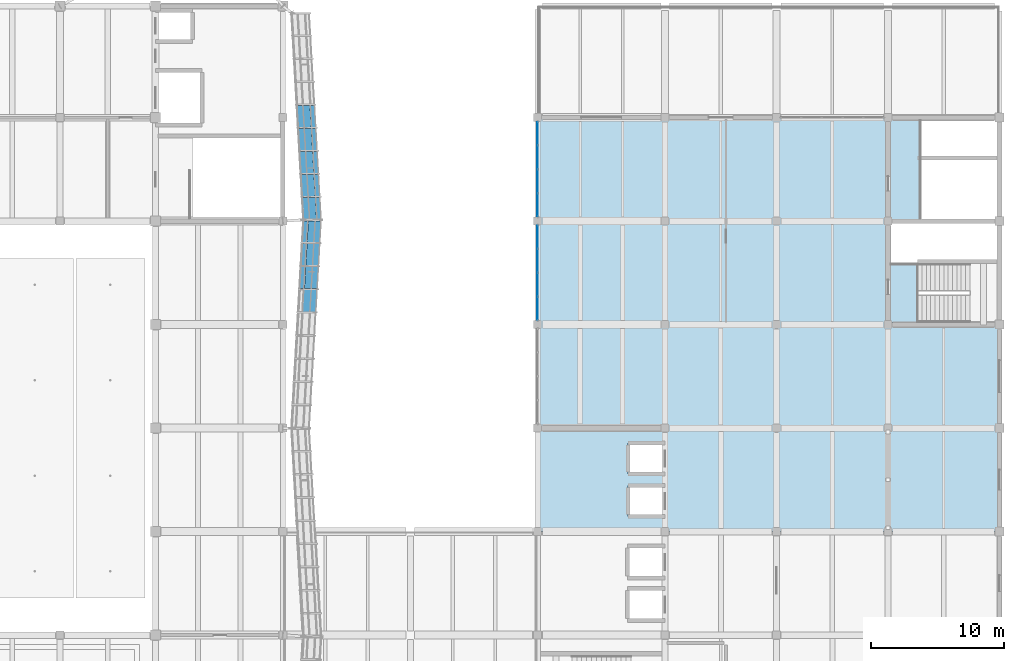
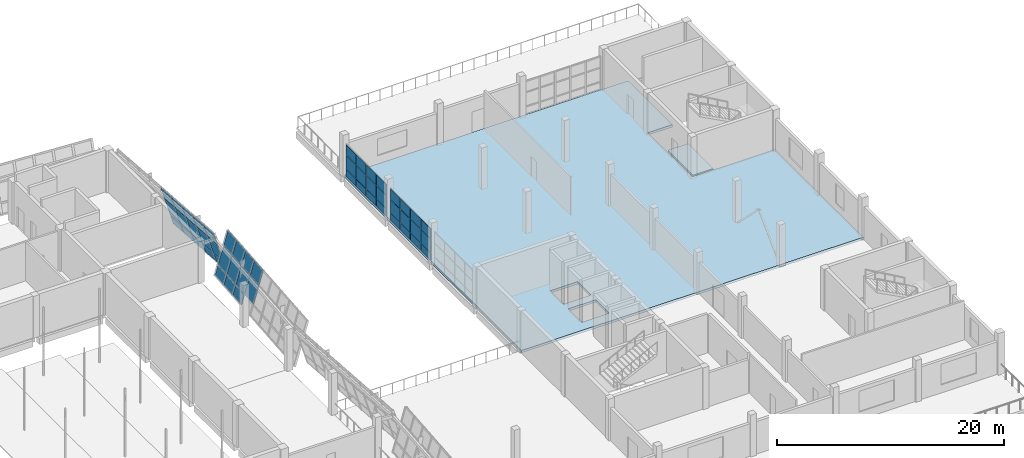
# One storey, part 43 of 71: 50 plates, 2 slabs, 5 elements without a shape of their own.
"""IFC4 building model written with IfcOpenShell, lengths in metres."""

import ifcopenshell
import ifcopenshell.guid

model = None  # the IFC model being written
_history = None  # IfcOwnerHistory: only IFC2X3 demands one
_inside = {}  # id of a spatial element -> (the spatial element, [elements in it])
_under = {}  # id of a project, library or spatial element -> (it, [spatial elements below it])
_declared = {}  # id of a project -> (the project, [libraries it declares])
_typed = {}  # id of a type object -> (the type object, [elements of that type])
_made_of = {}  # id of a material, layer set ... -> (it, [elements and type objects made of it])


def new_model(schema):
    """Start an empty IFC model of exactly this schema.

    Asked for "IFC4X3", IfcOpenShell would pick the latest addendum, in which some entities
    have other attributes; the version numbers below select the first issue.
    IFC2X3 requires an IfcOwnerHistory on every rooted entity: one is made here for all.
    """
    global model, _history
    if schema == "IFC4X3":
        model = ifcopenshell.file(schema_version=(4, 3, 0, 0))
    else:
        model = ifcopenshell.file(schema=schema)
    _inside.clear()
    _under.clear()
    _declared.clear()
    _typed.clear()
    _made_of.clear()
    _history = None
    if model.schema == "IFC2X3":
        org = make("IfcOrganization", Name="unknown")
        user = make(
            "IfcPersonAndOrganization",
            ThePerson=make("IfcPerson", FamilyName="unknown"),
            TheOrganization=org,
        )
        app = make(
            "IfcApplication",
            ApplicationDeveloper=org,
            Version="unknown",
            ApplicationFullName="unknown",
            ApplicationIdentifier="unknown",
        )
        _history = make(
            "IfcOwnerHistory",
            OwningUser=user,
            OwningApplication=app,
            ChangeAction="ADDED",
            CreationDate=0,
        )
    return model


def make(cls, **values):
    """One entity of the class cls with the attributes given. An attribute that is None is left unset."""
    return model.create_entity(
        cls, **{name: value for name, value in values.items() if value is not None}
    )


def rooted(cls, **values):
    """An entity with a GlobalId (a new one), such as an element, a storey or a relation."""
    return make(cls, GlobalId=ifcopenshell.guid.new(), OwnerHistory=_history, **values)


def si_unit(unit_type, name, prefix=None):
    """IfcSIUnit, for example si_unit("LENGTHUNIT", "METRE", prefix="MILLI")."""
    return make("IfcSIUnit", UnitType=unit_type, Prefix=prefix, Name=name)


def assignment(units):
    """IfcUnitAssignment: the units of a project."""
    return None if units is None else make("IfcUnitAssignment", Units=units)


def point(xyz):
    """IfcCartesianPoint."""
    return None if xyz is None else make("IfcCartesianPoint", Coordinates=xyz)


def direction(xyz):
    """IfcDirection."""
    return None if xyz is None else make("IfcDirection", DirectionRatios=xyz)


def frame(location, z_axis=None, x_axis=None):
    """IfcAxis2Placement3D, a coordinate frame: its origin and axes. An axis left out is left unset."""
    return make(
        "IfcAxis2Placement3D",
        Location=point(location),
        Axis=direction(z_axis),
        RefDirection=direction(x_axis),
    )


def origin():
    """The frame at (0, 0, 0) with its axes left unset."""
    return frame((0.0, 0.0, 0.0))


def place(relative_to, where):
    """IfcLocalPlacement: puts the frame where relative to a parent placement (None: the world)."""
    return make(
        "IfcLocalPlacement", PlacementRelTo=relative_to, RelativePlacement=where
    )


def context(
    kind, dimensions, precision=None, world=None, true_north=None, identifier=None
):
    """IfcGeometricRepresentationContext, for example the 3D "Model" context."""
    return make(
        "IfcGeometricRepresentationContext",
        ContextIdentifier=identifier,
        ContextType=kind,
        CoordinateSpaceDimension=dimensions,
        Precision=precision,
        WorldCoordinateSystem=world,
        TrueNorth=true_north,
    )


def subcontext(parent, identifier, kind, view, scale=None):
    """IfcGeometricRepresentationSubContext, for example "Body" below "Model"."""
    return make(
        "IfcGeometricRepresentationSubContext",
        ContextIdentifier=identifier,
        ContextType=kind,
        ParentContext=parent,
        TargetScale=scale,
        TargetView=view,
    )


def project(units=None, contexts=None):
    """IfcProject with its units and contexts."""
    return rooted(
        "IfcProject",
        Name="project",
        RepresentationContexts=contexts,
        UnitsInContext=assignment(units),
    )


def spatial(cls, under=None, at=None, **own):
    """A site, building, storey or space (cls), placed at a placement, below another one or the project."""
    s = rooted(cls, ObjectPlacement=at, **own)
    if under is not None:
        _under.setdefault(under.id(), (under, []))[1].append(s)
    return s


def polyline(points):
    """IfcPolyline through the points."""
    return make("IfcPolyline", Points=[point(p) for p in points])


def outline(outer, holes=None, kind="AREA"):
    """IfcArbitraryClosedProfileDef: a profile drawn as a closed curve; with holes, ...WithVoids."""
    if holes is None:
        return make("IfcArbitraryClosedProfileDef", ProfileType=kind, OuterCurve=outer)
    return make(
        "IfcArbitraryProfileDefWithVoids",
        ProfileType=kind,
        OuterCurve=outer,
        InnerCurves=holes,
    )


def extrude(swept, where, along, depth):
    """IfcExtrudedAreaSolid: the profile swept, set in the frame where, extruded along a direction by depth."""
    return make(
        "IfcExtrudedAreaSolid",
        SweptArea=swept,
        Position=where,
        ExtrudedDirection=direction(along),
        Depth=depth,
    )


def shape(context_of_items, identifier, shape_type, items):
    """IfcShapeRepresentation: the items that make up one representation, for example the "Body"."""
    return make(
        "IfcShapeRepresentation",
        ContextOfItems=context_of_items,
        RepresentationIdentifier=identifier,
        RepresentationType=shape_type,
        Items=items,
    )


def material(Name=None, Category=None):
    """IfcMaterial."""
    return make("IfcMaterial", Name=Name, Category=Category)


def layer(
    of_material, thickness, ventilated=None, Name=None, Category=None, Priority=None
):
    """IfcMaterialLayer: one layer of a wall or slab, of a material (None: an air gap)."""
    return make(
        "IfcMaterialLayer",
        Material=of_material,
        LayerThickness=thickness,
        IsVentilated=ventilated,
        Name=Name,
        Category=Category,
        Priority=Priority,
    )


def layer_set(layers, Name=None):
    """IfcMaterialLayerSet."""
    return make("IfcMaterialLayerSet", MaterialLayers=layers, LayerSetName=Name)


def made_of(thing, what):
    """Note that an element or type object is made of a material, layer set ...; save() writes the relation."""
    if what is not None:
        _made_of.setdefault(what.id(), (what, []))[1].append(thing)
    return thing


def type_object(cls, material=None, **own):
    """A type object (cls), such as IfcWallType, which elements share."""
    return made_of(rooted(cls, **own), material)


def element(
    cls,
    number,
    at=None,
    inside=None,
    cuts=None,
    type_object=None,
    material=None,
    context=None,
    identifier="Body",
    shape_type=None,
    held_by="IfcProductDefinitionShape",
    body=None,
    shapes=None,
    **own,
):
    """One element of the class cls, such as IfcWall. Its Tag is "e" and its number.

    at: its placement. inside: the storey or other place that contains it. cuts: it is an
    opening in that element (IfcRelVoidsElement). A single representation is given by context,
    identifier, shape_type and body (its items); several are given by shapes. held_by: the class
    of the entity that holds the representations. save() writes the other relations.
    """
    e = rooted(cls, Tag="e%d" % number, ObjectPlacement=at, **own)
    if body is not None:
        shapes = [shape(context, identifier, shape_type, body)]
    if shapes is not None:
        e.Representation = make(held_by, Representations=shapes)
    if inside is not None:
        _inside.setdefault(inside.id(), (inside, []))[1].append(e)
    if cuts is not None:
        rooted(
            "IfcRelVoidsElement", RelatingBuildingElement=cuts, RelatedOpeningElement=e
        )
    if type_object is not None:
        _typed.setdefault(type_object.id(), (type_object, []))[1].append(e)
    return made_of(e, material)


def aggregate(whole, parts):
    """IfcRelAggregates: a whole, such as a stair, and the parts it consists of."""
    return rooted("IfcRelAggregates", RelatingObject=whole, RelatedObjects=parts)


def save(model, path):
    """Write the relations noted so far, then the file.

    IfcRelAggregates (storeys below a building ...), IfcRelContainedInSpatialStructure (elements
    in a storey), IfcRelDefinesByType, IfcRelAssociatesMaterial and IfcRelDeclares: one each for
    every whole, place, type object, material and project.
    """
    for whole, parts in _under.values():
        aggregate(whole, parts)
    for where, things in _inside.values():
        rooted(
            "IfcRelContainedInSpatialStructure",
            RelatedElements=things,
            RelatingStructure=where,
        )
    for kind, things in _typed.values():
        rooted("IfcRelDefinesByType", RelatedObjects=things, RelatingType=kind)
    for what, things in _made_of.values():
        rooted("IfcRelAssociatesMaterial", RelatedObjects=things, RelatingMaterial=what)
    for by, libraries in _declared.values():
        rooted("IfcRelDeclares", RelatingContext=by, RelatedDefinitions=libraries)
    model.write(path)


model = new_model("IFC4")

# Units and contexts
model_context = context("Model", 3, precision=1e-05, world=origin(), true_north=direction((0.0, 1.0)))
body_context = subcontext(model_context, "Body", "Model", "MODEL_VIEW")
ifc_project = project(units=[si_unit("LENGTHUNIT", "METRE"), si_unit("AREAUNIT", "SQUARE_METRE"), si_unit("VOLUMEUNIT", "CUBIC_METRE"), si_unit("PLANEANGLEUNIT", "RADIAN"), si_unit("MASSUNIT", "GRAM", prefix="KILO")], contexts=[model_context])

# Site, building, storey
site_placement = place(None, origin())
site = spatial("IfcSite", under=ifc_project, at=site_placement, CompositionType="ELEMENT")
building_placement = place(site_placement, origin())
building = spatial("IfcBuilding", under=site, at=building_placement, Name="Pellamere Symphony Hall", CompositionType="ELEMENT")
storey_placement = place(building_placement, frame((0.0, 0.0, 15.0)))
storey = spatial("IfcBuildingStorey", under=building, at=storey_placement, Name="L03", CompositionType="ELEMENT", Elevation=15.0)

# Curtain wall, plates
ifc_material_1 = material(Name="Thermally Broken Anodised Aluminium 6063-T6 Curtain Wall", Category="aluminium")
curtain_wall_type_1 = type_object("IfcCurtainWallType", Name="Curtain Wall CW-05 (Artists Wing North Studio Ribbon Curtain Wall)", PredefinedType="NOTDEFINED", material=ifc_material_1)
curtain_wall_1_placement = place(storey_placement, origin())
curtain_wall_1 = element("IfcCurtainWall", 1, at=curtain_wall_1_placement, inside=storey, type_object=curtain_wall_type_1, Name="Sculpture Court East Wing Curtain Wall (L03 Bay 2)", PredefinedType="NOTDEFINED")
ifc_material_2 = material(Name="Triple Low-E Argon Acoustic Glazing 36mm", Category="glass")
ifc_layer_1 = layer(ifc_material_2, 0.035888671875, Name="Triple Low-E Argon Acoustic Glazing 36mm")
ifc_layer_set_1 = layer_set([ifc_layer_1], Name="Triple Low-E Argon Acoustic Glazing 36mm")
plate_type_1 = type_object("IfcPlateType", Name="Facade Panel GL-01 36mm", PredefinedType="CURTAIN_PANEL", material=ifc_layer_set_1)
plate_1_placement = place(storey_placement, frame((138.0, 69.9599609375, 0.06005859375), z_axis=(1.0, 0.0, 0.0), x_axis=(0.0, 1.0, 0.0)))
plate_1 = element("IfcPlate", 2, at=plate_1_placement, type_object=plate_type_1, Name="CW5-143 crystal glass panel 1.1", PredefinedType="CURTAIN_PANEL", context=body_context, shape_type="SweptSolid", body=[
    extrude(outline(polyline([(0.0, 0.0), (1.7099609375, 0.0), (1.7099609375, 0.754638671875), (0.0, 0.754638671875), (0.0, 0.0)])), origin(), (0.0, 0.0, -1.0), 0.035888671875),
])
plate_2_placement = place(storey_placement, frame((138.0, 69.9599609375, 0.874755859375), z_axis=(1.0, 0.0, 0.0), x_axis=(0.0, 1.0, 0.0)))
plate_2 = element("IfcPlate", 3, at=plate_2_placement, type_object=plate_type_1, Name="CW5-143 crystal glass panel 1.2", PredefinedType="CURTAIN_PANEL", context=body_context, shape_type="SweptSolid", body=[
    extrude(outline(polyline([(0.0, 0.0), (1.7099609375, 0.0), (1.7099609375, 1.41845703125), (0.0, 1.41845703125), (0.0, 0.0)])), origin(), (0.0, 0.0, -1.0), 0.035888671875),
])
plate_3_placement = place(storey_placement, frame((138.0, 69.9599609375, 2.353271484375), z_axis=(1.0, 0.0, 0.0), x_axis=(0.0, 1.0, 0.0)))
plate_3 = element("IfcPlate", 4, at=plate_3_placement, type_object=plate_type_1, Name="CW5-143 crystal glass panel 1.3", PredefinedType="CURTAIN_PANEL", context=body_context, shape_type="SweptSolid", body=[
    extrude(outline(polyline([(0.0, 0.0), (1.7099609375, 0.0), (1.7099609375, 1.106689453125), (0.0, 1.106689453125), (0.0, 0.0)])), origin(), (0.0, 0.0, -1.0), 0.035888671875),
])
plate_4_placement = place(storey_placement, frame((138.0, 71.72998046875, 0.06005859375), z_axis=(1.0, 0.0, 0.0), x_axis=(0.0, 1.0, 0.0)))
plate_4 = element("IfcPlate", 5, at=plate_4_placement, type_object=plate_type_1, Name="CW5-143 crystal glass panel 2.1", PredefinedType="CURTAIN_PANEL", context=body_context, shape_type="SweptSolid", body=[
    extrude(outline(polyline([(0.0, 0.0), (1.739990234375, 0.0), (1.739990234375, 0.754638671875), (0.0, 0.754638671875), (0.0, 0.0)])), origin(), (0.0, 0.0, -1.0), 0.035888671875),
])
plate_5_placement = place(storey_placement, frame((138.0, 71.72998046875, 0.874755859375), z_axis=(1.0, 0.0, 0.0), x_axis=(0.0, 1.0, 0.0)))
plate_5 = element("IfcPlate", 6, at=plate_5_placement, type_object=plate_type_1, Name="CW5-143 crystal glass panel 2.2", PredefinedType="CURTAIN_PANEL", context=body_context, shape_type="SweptSolid", body=[
    extrude(outline(polyline([(0.0, 0.0), (1.739990234375, 0.0), (1.739990234375, 1.41845703125), (0.0, 1.41845703125), (0.0, 0.0)])), origin(), (0.0, 0.0, -1.0), 0.035888671875),
])
plate_6_placement = place(storey_placement, frame((138.0, 71.72998046875, 2.353271484375), z_axis=(1.0, 0.0, 0.0), x_axis=(0.0, 1.0, 0.0)))
plate_6 = element("IfcPlate", 7, at=plate_6_placement, type_object=plate_type_1, Name="CW5-143 crystal glass panel 2.3", PredefinedType="CURTAIN_PANEL", context=body_context, shape_type="SweptSolid", body=[
    extrude(outline(polyline([(0.0, 0.0), (1.739990234375, 0.0), (1.739990234375, 1.106689453125), (0.0, 1.106689453125), (0.0, 0.0)])), origin(), (0.0, 0.0, -1.0), 0.035888671875),
])
plate_7_placement = place(storey_placement, frame((138.0, 73.530029296875, 0.06005859375), z_axis=(1.0, 0.0, 0.0), x_axis=(0.0, 1.0, 0.0)))
plate_7 = element("IfcPlate", 8, at=plate_7_placement, type_object=plate_type_1, Name="CW5-143 crystal glass panel 3.1", PredefinedType="CURTAIN_PANEL", context=body_context, shape_type="SweptSolid", body=[
    extrude(outline(polyline([(0.0, 0.0), (1.739990234375, 0.0), (1.739990234375, 0.754638671875), (0.0, 0.754638671875), (0.0, 0.0)])), origin(), (0.0, 0.0, -1.0), 0.035888671875),
])
plate_8_placement = place(storey_placement, frame((138.0, 73.530029296875, 0.874755859375), z_axis=(1.0, 0.0, 0.0), x_axis=(0.0, 1.0, 0.0)))
plate_8 = element("IfcPlate", 9, at=plate_8_placement, type_object=plate_type_1, Name="CW5-143 crystal glass panel 3.2", PredefinedType="CURTAIN_PANEL", context=body_context, shape_type="SweptSolid", body=[
    extrude(outline(polyline([(0.0, 0.0), (1.739990234375, 0.0), (1.739990234375, 1.41845703125), (0.0, 1.41845703125), (0.0, 0.0)])), origin(), (0.0, 0.0, -1.0), 0.035888671875),
])
plate_9_placement = place(storey_placement, frame((138.0, 73.530029296875, 2.353271484375), z_axis=(1.0, 0.0, 0.0), x_axis=(0.0, 1.0, 0.0)))
plate_9 = element("IfcPlate", 10, at=plate_9_placement, type_object=plate_type_1, Name="CW5-143 crystal glass panel 3.3", PredefinedType="CURTAIN_PANEL", context=body_context, shape_type="SweptSolid", body=[
    extrude(outline(polyline([(0.0, 0.0), (1.739990234375, 0.0), (1.739990234375, 1.106689453125), (0.0, 1.106689453125), (0.0, 0.0)])), origin(), (0.0, 0.0, -1.0), 0.035888671875),
])
plate_10_placement = place(storey_placement, frame((138.0, 75.330078125, 0.06005859375), z_axis=(1.0, 0.0, 0.0), x_axis=(0.0, 1.0, 0.0)))
plate_10 = element("IfcPlate", 11, at=plate_10_placement, type_object=plate_type_1, Name="CW5-143 crystal glass panel 4.1", PredefinedType="CURTAIN_PANEL", context=body_context, shape_type="SweptSolid", body=[
    extrude(outline(polyline([(0.0, 0.0), (1.7099609375, 0.0), (1.7099609375, 0.754638671875), (0.0, 0.754638671875), (0.0, 0.0)])), origin(), (0.0, 0.0, -1.0), 0.035888671875),
])
plate_11_placement = place(storey_placement, frame((138.0, 75.330078125, 0.874755859375), z_axis=(1.0, 0.0, 0.0), x_axis=(0.0, 1.0, 0.0)))
plate_11 = element("IfcPlate", 12, at=plate_11_placement, type_object=plate_type_1, Name="CW5-143 crystal glass panel 4.2", PredefinedType="CURTAIN_PANEL", context=body_context, shape_type="SweptSolid", body=[
    extrude(outline(polyline([(0.0, 0.0), (1.7099609375, 0.0), (1.7099609375, 1.41845703125), (0.0, 1.41845703125), (0.0, 0.0)])), origin(), (0.0, 0.0, -1.0), 0.035888671875),
])
plate_12_placement = place(storey_placement, frame((138.0, 75.330078125, 2.353271484375), z_axis=(1.0, 0.0, 0.0), x_axis=(0.0, 1.0, 0.0)))
plate_12 = element("IfcPlate", 13, at=plate_12_placement, type_object=plate_type_1, Name="CW5-143 crystal glass panel 4.3", PredefinedType="CURTAIN_PANEL", context=body_context, shape_type="SweptSolid", body=[
    extrude(outline(polyline([(0.0, 0.0), (1.7099609375, 0.0), (1.7099609375, 1.106689453125), (0.0, 1.106689453125), (0.0, 0.0)])), origin(), (0.0, 0.0, -1.0), 0.035888671875),
])
aggregate(curtain_wall_1, [plate_1, plate_2, plate_3, plate_4, plate_5, plate_6, plate_7, plate_8, plate_9, plate_10, plate_11, plate_12])

curtain_wall_2_placement = place(storey_placement, origin())
curtain_wall_2 = element("IfcCurtainWall", 14, at=curtain_wall_2_placement, inside=storey, type_object=curtain_wall_type_1, Name="Sculpture Court East Wing Curtain Wall (L03 Bay 3)", PredefinedType="NOTDEFINED")
plate_13_placement = place(storey_placement, frame((138.0, 77.760009765625, 0.06005859375), z_axis=(1.0, 0.0, 0.0), x_axis=(0.0, 1.0, 0.0)))
plate_13 = element("IfcPlate", 15, at=plate_13_placement, type_object=plate_type_1, Name="CW5-144 crystal glass panel 1.1", PredefinedType="CURTAIN_PANEL", context=body_context, shape_type="SweptSolid", body=[
    extrude(outline(polyline([(0.0, 0.0), (1.7099609375, 0.0), (1.7099609375, 0.754638671875), (0.0, 0.754638671875), (0.0, 0.0)])), origin(), (0.0, 0.0, -1.0), 0.035888671875),
])
plate_14_placement = place(storey_placement, frame((138.0, 77.760009765625, 0.874755859375), z_axis=(1.0, 0.0, 0.0), x_axis=(0.0, 1.0, 0.0)))
plate_14 = element("IfcPlate", 16, at=plate_14_placement, type_object=plate_type_1, Name="CW5-144 crystal glass panel 1.2", PredefinedType="CURTAIN_PANEL", context=body_context, shape_type="SweptSolid", body=[
    extrude(outline(polyline([(0.0, 0.0), (1.7099609375, 0.0), (1.7099609375, 1.41845703125), (0.0, 1.41845703125), (0.0, 0.0)])), origin(), (0.0, 0.0, -1.0), 0.035888671875),
])
plate_15_placement = place(storey_placement, frame((138.0, 77.760009765625, 2.353271484375), z_axis=(1.0, 0.0, 0.0), x_axis=(0.0, 1.0, 0.0)))
plate_15 = element("IfcPlate", 17, at=plate_15_placement, type_object=plate_type_1, Name="CW5-144 crystal glass panel 1.3", PredefinedType="CURTAIN_PANEL", context=body_context, shape_type="SweptSolid", body=[
    extrude(outline(polyline([(0.0, 0.0), (1.7099609375, 0.0), (1.7099609375, 1.106689453125), (0.0, 1.106689453125), (0.0, 0.0)])), origin(), (0.0, 0.0, -1.0), 0.035888671875),
])
plate_16_placement = place(storey_placement, frame((138.0, 79.530029296875, 0.06005859375), z_axis=(1.0, 0.0, 0.0), x_axis=(0.0, 1.0, 0.0)))
plate_16 = element("IfcPlate", 18, at=plate_16_placement, type_object=plate_type_1, Name="CW5-144 crystal glass panel 2.1", PredefinedType="CURTAIN_PANEL", context=body_context, shape_type="SweptSolid", body=[
    extrude(outline(polyline([(0.0, 0.0), (1.739990234375, 0.0), (1.739990234375, 0.754638671875), (0.0, 0.754638671875), (0.0, 0.0)])), origin(), (0.0, 0.0, -1.0), 0.035888671875),
])
plate_17_placement = place(storey_placement, frame((138.0, 79.530029296875, 0.874755859375), z_axis=(1.0, 0.0, 0.0), x_axis=(0.0, 1.0, 0.0)))
plate_17 = element("IfcPlate", 19, at=plate_17_placement, type_object=plate_type_1, Name="CW5-144 crystal glass panel 2.2", PredefinedType="CURTAIN_PANEL", context=body_context, shape_type="SweptSolid", body=[
    extrude(outline(polyline([(0.0, 0.0), (1.739990234375, 0.0), (1.739990234375, 1.41845703125), (0.0, 1.41845703125), (0.0, 0.0)])), origin(), (0.0, 0.0, -1.0), 0.035888671875),
])
plate_18_placement = place(storey_placement, frame((138.0, 79.530029296875, 2.353271484375), z_axis=(1.0, 0.0, 0.0), x_axis=(0.0, 1.0, 0.0)))
plate_18 = element("IfcPlate", 20, at=plate_18_placement, type_object=plate_type_1, Name="CW5-144 crystal glass panel 2.3", PredefinedType="CURTAIN_PANEL", context=body_context, shape_type="SweptSolid", body=[
    extrude(outline(polyline([(0.0, 0.0), (1.739990234375, 0.0), (1.739990234375, 1.106689453125), (0.0, 1.106689453125), (0.0, 0.0)])), origin(), (0.0, 0.0, -1.0), 0.035888671875),
])
plate_19_placement = place(storey_placement, frame((138.0, 81.330078125, 0.06005859375), z_axis=(1.0, 0.0, 0.0), x_axis=(0.0, 1.0, 0.0)))
plate_19 = element("IfcPlate", 21, at=plate_19_placement, type_object=plate_type_1, Name="CW5-144 crystal glass panel 3.1", PredefinedType="CURTAIN_PANEL", context=body_context, shape_type="SweptSolid", body=[
    extrude(outline(polyline([(0.0, 0.0), (1.739990234375, 0.0), (1.739990234375, 0.754638671875), (0.0, 0.754638671875), (0.0, 0.0)])), origin(), (0.0, 0.0, -1.0), 0.035888671875),
])
plate_20_placement = place(storey_placement, frame((138.0, 81.330078125, 0.874755859375), z_axis=(1.0, 0.0, 0.0), x_axis=(0.0, 1.0, 0.0)))
plate_20 = element("IfcPlate", 22, at=plate_20_placement, type_object=plate_type_1, Name="CW5-144 crystal glass panel 3.2", PredefinedType="CURTAIN_PANEL", context=body_context, shape_type="SweptSolid", body=[
    extrude(outline(polyline([(0.0, 0.0), (1.739990234375, 0.0), (1.739990234375, 1.41845703125), (0.0, 1.41845703125), (0.0, 0.0)])), origin(), (0.0, 0.0, -1.0), 0.035888671875),
])
plate_21_placement = place(storey_placement, frame((138.0, 81.330078125, 2.353271484375), z_axis=(1.0, 0.0, 0.0), x_axis=(0.0, 1.0, 0.0)))
plate_21 = element("IfcPlate", 23, at=plate_21_placement, type_object=plate_type_1, Name="CW5-144 crystal glass panel 3.3", PredefinedType="CURTAIN_PANEL", context=body_context, shape_type="SweptSolid", body=[
    extrude(outline(polyline([(0.0, 0.0), (1.739990234375, 0.0), (1.739990234375, 1.106689453125), (0.0, 1.106689453125), (0.0, 0.0)])), origin(), (0.0, 0.0, -1.0), 0.035888671875),
])
plate_22_placement = place(storey_placement, frame((138.0, 83.1298828125, 0.06005859375), z_axis=(1.0, 0.0, 0.0), x_axis=(0.0, 1.0, 0.0)))
plate_22 = element("IfcPlate", 24, at=plate_22_placement, type_object=plate_type_1, Name="CW5-144 crystal glass panel 4.1", PredefinedType="CURTAIN_PANEL", context=body_context, shape_type="SweptSolid", body=[
    extrude(outline(polyline([(0.0, 0.0), (1.710205078125, 0.0), (1.710205078125, 0.754638671875), (0.0, 0.754638671875), (0.0, 0.0)])), origin(), (0.0, 0.0, -1.0), 0.035888671875),
])
plate_23_placement = place(storey_placement, frame((138.0, 83.1298828125, 0.874755859375), z_axis=(1.0, 0.0, 0.0), x_axis=(0.0, 1.0, 0.0)))
plate_23 = element("IfcPlate", 25, at=plate_23_placement, type_object=plate_type_1, Name="CW5-144 crystal glass panel 4.2", PredefinedType="CURTAIN_PANEL", context=body_context, shape_type="SweptSolid", body=[
    extrude(outline(polyline([(0.0, 0.0), (1.710205078125, 0.0), (1.710205078125, 1.41845703125), (0.0, 1.41845703125), (0.0, 0.0)])), origin(), (0.0, 0.0, -1.0), 0.035888671875),
])
plate_24_placement = place(storey_placement, frame((138.0, 83.1298828125, 2.353271484375), z_axis=(1.0, 0.0, 0.0), x_axis=(0.0, 1.0, 0.0)))
plate_24 = element("IfcPlate", 26, at=plate_24_placement, type_object=plate_type_1, Name="CW5-144 crystal glass panel 4.3", PredefinedType="CURTAIN_PANEL", context=body_context, shape_type="SweptSolid", body=[
    extrude(outline(polyline([(0.0, 0.0), (1.710205078125, 0.0), (1.710205078125, 1.106689453125), (0.0, 1.106689453125), (0.0, 0.0)])), origin(), (0.0, 0.0, -1.0), 0.035888671875),
])
aggregate(curtain_wall_2, [plate_13, plate_14, plate_15, plate_16, plate_17, plate_18, plate_19, plate_20, plate_21, plate_22, plate_23, plate_24])

curtain_wall_type_2 = type_object("IfcCurtainWallType", Name="Curtain Wall CW-01 (Tilted Faceted Crystal Low-Iron Curtain Wall)", PredefinedType="NOTDEFINED", material=ifc_material_1)
curtain_wall_3_placement = place(storey_placement, origin())
curtain_wall_3 = element("IfcCurtainWall", 27, at=curtain_wall_3_placement, inside=storey, type_object=curtain_wall_type_2, Name="Crystal Faceted Curtain Wall CW-CR09 (L03)", PredefinedType="NOTDEFINED")
ifc_material_3 = material(Name="Triple Laminated Acoustic Crystal Glazing 42mm", Category="glass")
ifc_layer_2 = layer(ifc_material_3, 0.0419921875, Name="Triple Laminated Acoustic Crystal Glazing 42mm")
ifc_layer_set_2 = layer_set([ifc_layer_2], Name="Triple Laminated Acoustic Crystal Glazing 42mm")
plate_type_2 = type_object("IfcPlateType", Name="Facade Panel GL-02 42mm", PredefinedType="CURTAIN_PANEL", material=ifc_layer_set_2)
plate_25_placement = place(storey_placement, frame((121.657470703125, 77.574951171875, 0.072021484375), z_axis=(0.957305734249, 0.055226404009, 0.283753018441), x_axis=(-0.057593652861, 0.998340107954, 0.0)))
plate_25 = element("IfcPlate", 28, at=plate_25_placement, type_object=plate_type_2, Name="CW1-020 crystal glass panel 1.1", PredefinedType="CURTAIN_PANEL", context=body_context, shape_type="SweptSolid", body=[
    extrude(outline(polyline([(0.0, 0.0), (1.6235445180063734, -6.938893903907228e-18), (1.6401364394849838, 1.0135847982305457), (0.016591921478610355, 1.0135847982305457), (0.0, 0.0)])), origin(), (0.0, 0.0, -1.0), 0.0419921875),
])
plate_26_placement = place(storey_placement, frame((121.34814453125, 77.574951171875, 1.115966796875), z_axis=(0.95735286075, 0.055229122709, 0.283593448478), x_axis=(-0.057593652861, 0.998340107954, 0.0)))
plate_26 = element("IfcPlate", 29, at=plate_26_placement, type_object=plate_type_2, Name="CW1-020 crystal glass panel 1.2", PredefinedType="CURTAIN_PANEL", context=body_context, shape_type="SweptSolid", body=[
    extrude(outline(polyline([(0.0, 0.0), (1.6235445180063734, 0.0), (1.6545629746011314, 1.8959543902528653), (0.031018456594758003, 1.8959543902528653), (0.0, 0.0)])), origin(), (0.0, 0.0, -1.0), 0.0419921875),
])
plate_27_placement = place(storey_placement, frame((120.788330078125, 77.574951171875, 3.005859375), z_axis=(0.957331455503, 0.055227887853, 0.283665938575), x_axis=(-0.057593652861, 0.998340107954, 0.0)))
plate_27 = element("IfcPlate", 30, at=plate_27_placement, type_object=plate_type_2, Name="CW1-020 crystal glass panel 1.3", PredefinedType="CURTAIN_PANEL", context=body_context, shape_type="SweptSolid", body=[
    extrude(outline(polyline([(0.0, 0.0), (1.6235445180063734, -3.469446951953614e-18), (1.6478137184064425, 1.4830376336367266), (0.024269200400069045, 1.4830376336367266), (0.0, 0.0)])), origin(), (0.0, 0.0, -1.0), 0.0419921875),
])
plate_28_placement = place(storey_placement, frame((121.5595703125, 79.270751953125, 0.072021484375), z_axis=(0.957304871124, 0.05524267768, 0.283752762604), x_axis=(-0.057610619545, 0.998339129012, 0.0)))
plate_28 = element("IfcPlate", 31, at=plate_28_placement, type_object=plate_type_2, Name="CW1-020 crystal glass panel 2.1", PredefinedType="CURTAIN_PANEL", context=body_context, shape_type="SweptSolid", body=[
    extrude(outline(polyline([(0.0, 0.0), (1.6612063149993754, 0.0), (1.677803124341095, 1.0135847182066644), (0.01659680934171927, 1.0135847182066644), (0.0, 0.0)])), origin(), (0.0, 0.0, -1.0), 0.0419921875),
])
plate_29_placement = place(storey_placement, frame((121.250244140625, 79.270751953125, 1.115966796875), z_axis=(0.957351997497, 0.055245397176, 0.283593192759), x_axis=(-0.057610619545, 0.998339129012, 0.0)))
plate_29 = element("IfcPlate", 32, at=plate_29_placement, type_object=plate_type_2, Name="CW1-020 crystal glass panel 2.2", PredefinedType="CURTAIN_PANEL", context=body_context, shape_type="SweptSolid", body=[
    extrude(outline(polyline([(0.0, 0.0), (1.6612063149993754, -3.469446951953614e-18), (1.6922339094127932, 1.8959542407330272), (0.031027594413417556, 1.8959542407330272), (0.0, 0.0)])), origin(), (0.0, 0.0, -1.0), 0.0419921875),
])
plate_30_placement = place(storey_placement, frame((120.6904296875, 79.270751953125, 3.005859375), z_axis=(0.957330592308, 0.055244161959, 0.283665682802), x_axis=(-0.057610619545, 0.998339129012, 0.0)))
plate_30 = element("IfcPlate", 33, at=plate_30_placement, type_object=plate_type_2, Name="CW1-020 crystal glass panel 2.3", PredefinedType="CURTAIN_PANEL", context=body_context, shape_type="SweptSolid", body=[
    extrude(outline(polyline([(0.0, 0.0), (1.6612063149993754, 0.0), (1.6854826649348056, 1.4830375166207674), (0.024276349935430055, 1.4830375166207674), (0.0, 0.0)])), origin(), (0.0, 0.0, -1.0), 0.0419921875),
])
plate_31_placement = place(storey_placement, frame((121.45947265625, 81.004150390625, 0.072021484375), z_axis=(0.95737017047, 0.055246445874, 0.283531633003), x_axis=(-0.057610619545, 0.998339129012, 0.0)))
plate_31 = element("IfcPlate", 34, at=plate_31_placement, type_object=plate_type_2, Name="CW1-020 crystal glass panel 3.1", PredefinedType="CURTAIN_PANEL", context=body_context, shape_type="SweptSolid", body=[
    extrude(outline(polyline([(0.0, 0.0), (1.6612063149993754, -3.469446951953614e-18), (1.6777890592484324, 1.0135155846352601), (0.0165827442490568, 1.0135155846352604), (0.0, 0.0)])), origin(), (0.0, 0.0, -1.0), 0.0419921875),
])
plate_32_placement = place(storey_placement, frame((121.150390625, 81.004150390625, 1.115966796875), z_axis=(0.957351997497, 0.055245397176, 0.283593192759), x_axis=(-0.057610619545, 0.998339129012, 0.0)))
plate_32 = element("IfcPlate", 35, at=plate_32_placement, type_object=plate_type_2, Name="CW1-020 crystal glass panel 3.2", PredefinedType="CURTAIN_PANEL", context=body_context, shape_type="SweptSolid", body=[
    extrude(outline(polyline([(0.0, 0.0), (1.6612063149993754, -3.469446951953614e-18), (1.6922339094127932, 1.8959542407330272), (0.031027594413417556, 1.8959542407330272), (0.0, 0.0)])), origin(), (0.0, 0.0, -1.0), 0.0419921875),
])
plate_33_placement = place(storey_placement, frame((120.59033203125, 81.004150390625, 3.005859375), z_axis=(0.957375213306, 0.055246736879, 0.283514548147), x_axis=(-0.057610619545, 0.998339129012, 0.0)))
plate_33 = element("IfcPlate", 36, at=plate_33_placement, type_object=plate_type_2, Name="CW1-020 crystal glass panel 3.3", PredefinedType="CURTAIN_PANEL", context=body_context, shape_type="SweptSolid", body=[
    extrude(outline(polyline([(0.0, 0.0), (1.6612063149993754, -6.938893903907228e-18), (1.685468599842143, 1.482968395744147), (0.02426228484276758, 1.482968395744147), (0.0, 0.0)])), origin(), (0.0, 0.0, -1.0), 0.0419921875),
])
plate_34_placement = place(storey_placement, frame((121.359619140625, 82.737548828125, 0.072021484375), z_axis=(0.957304871124, 0.05524267768, 0.283752762604), x_axis=(-0.057610619545, 0.998339129012, 0.0)))
plate_34 = element("IfcPlate", 37, at=plate_34_placement, type_object=plate_type_2, Name="CW1-020 crystal glass panel 4.1", PredefinedType="CURTAIN_PANEL", context=body_context, shape_type="SweptSolid", body=[
    extrude(outline(polyline([(0.0, 0.0), (1.6612063149993754, 0.0), (1.677803124341095, 1.0135847182066644), (0.01659680934171927, 1.0135847182066644), (0.0, 0.0)])), origin(), (0.0, 0.0, -1.0), 0.0419921875),
])
plate_35_placement = place(storey_placement, frame((121.05029296875, 82.737548828125, 1.115966796875), z_axis=(0.957351997497, 0.055245397176, 0.283593192759), x_axis=(-0.057610619545, 0.998339129012, 0.0)))
plate_35 = element("IfcPlate", 38, at=plate_35_placement, type_object=plate_type_2, Name="CW1-020 crystal glass panel 4.2", PredefinedType="CURTAIN_PANEL", context=body_context, shape_type="SweptSolid", body=[
    extrude(outline(polyline([(0.0, 0.0), (1.6612063149993754, -3.469446951953614e-18), (1.6922339094127932, 1.8959542407330272), (0.031027594413417556, 1.8959542407330272), (0.0, 0.0)])), origin(), (0.0, 0.0, -1.0), 0.0419921875),
])
plate_36_placement = place(storey_placement, frame((120.490478515625, 82.737548828125, 3.005859375), z_axis=(0.957330592308, 0.055244161959, 0.283665682802), x_axis=(-0.057610619545, 0.998339129012, 0.0)))
plate_36 = element("IfcPlate", 39, at=plate_36_placement, type_object=plate_type_2, Name="CW1-020 crystal glass panel 4.3", PredefinedType="CURTAIN_PANEL", context=body_context, shape_type="SweptSolid", body=[
    extrude(outline(polyline([(0.0, 0.0), (1.6612063149993754, 0.0), (1.6854826649348056, 1.4830375166207674), (0.024276349935430055, 1.4830375166207674), (0.0, 0.0)])), origin(), (0.0, 0.0, -1.0), 0.0419921875),
])
plate_37_placement = place(storey_placement, frame((121.259521484375, 84.470703125, 0.072021484375), z_axis=(0.95737017047, 0.055246445874, 0.283531633003), x_axis=(-0.057610619545, 0.998339129012, 0.0)))
plate_37 = element("IfcPlate", 40, at=plate_37_placement, type_object=plate_type_2, Name="CW1-020 crystal glass panel 5.1", PredefinedType="CURTAIN_PANEL", context=body_context, shape_type="SweptSolid", body=[
    extrude(outline(polyline([(0.0, 0.0), (1.6612063149993754, -3.469446951953614e-18), (1.6777890592484324, 1.0135155846352601), (0.0165827442490568, 1.0135155846352604), (0.0, 0.0)])), origin(), (0.0, 0.0, -1.0), 0.0419921875),
])
plate_38_placement = place(storey_placement, frame((120.9501953125, 84.470703125, 1.115966796875), z_axis=(0.957351997497, 0.055245397176, 0.283593192759), x_axis=(-0.057610619545, 0.998339129012, 0.0)))
plate_38 = element("IfcPlate", 41, at=plate_38_placement, type_object=plate_type_2, Name="CW1-020 crystal glass panel 5.2", PredefinedType="CURTAIN_PANEL", context=body_context, shape_type="SweptSolid", body=[
    extrude(outline(polyline([(0.0, 0.0), (1.6612063149993754, -3.469446951953614e-18), (1.6922339094127932, 1.8959542407330272), (0.031027594413417556, 1.8959542407330272), (0.0, 0.0)])), origin(), (0.0, 0.0, -1.0), 0.0419921875),
])
plate_39_placement = place(storey_placement, frame((120.390380859375, 84.470703125, 3.005859375), z_axis=(0.957375213306, 0.055246736879, 0.283514548147), x_axis=(-0.057610619545, 0.998339129012, 0.0)))
plate_39 = element("IfcPlate", 42, at=plate_39_placement, type_object=plate_type_2, Name="CW1-020 crystal glass panel 5.3", PredefinedType="CURTAIN_PANEL", context=body_context, shape_type="SweptSolid", body=[
    extrude(outline(polyline([(0.0, 0.0), (1.6612063149993754, -6.938893903907228e-18), (1.685468599842143, 1.482968395744147), (0.02426228484276758, 1.482968395744147), (0.0, 0.0)])), origin(), (0.0, 0.0, -1.0), 0.0419921875),
])
aggregate(curtain_wall_3, [plate_25, plate_26, plate_27, plate_28, plate_29, plate_30, plate_31, plate_32, plate_33, plate_34, plate_35, plate_36, plate_37, plate_38, plate_39])

curtain_wall_4_placement = place(storey_placement, origin())
curtain_wall_4 = element("IfcCurtainWall", 43, at=curtain_wall_4_placement, inside=storey, type_object=curtain_wall_type_2, Name="Crystal Faceted Curtain Wall CW-CR08 (L03)", PredefinedType="NOTDEFINED")
ifc_material_4 = material(Name="Vacuum-Insulated Bronze-Anodised Aluminium Spandrel Panel", Category="aluminium")
ifc_layer_3 = layer(ifc_material_4, 0.06494140625, Name="Vacuum-Insulated Bronze-Anodised Aluminium Spandrel Panel")
ifc_layer_set_3 = layer_set([ifc_layer_3], Name="Vacuum-Insulated Bronze-Anodised Aluminium Spandrel Panel")
plate_type_3 = type_object("IfcPlateType", Name="Facade Panel SP-01 65mm", PredefinedType="CURTAIN_PANEL", material=ifc_layer_set_3)
plate_40_placement = place(storey_placement, frame((120.28271484375, 70.5595703125, 1.115966796875), z_axis=(-0.957371585014, 0.054874932201, 0.283598995104), x_axis=(0.057224396245, 0.998361341637, 0.0)))
plate_40 = element("IfcPlate", 44, at=plate_40_placement, type_object=plate_type_3, Name="CW1-015 crystal glass panel 6.2", PredefinedType="CURTAIN_PANEL", context=body_context, shape_type="SweptSolid", body=[
    extrude(outline(polyline([(0.0, 0.0), (1.6724182565382377, -3.469446951953614e-18), (1.703237841039485, -1.895957633434831), (0.030819584501247117, -1.895957633434831), (0.0, 0.0)])), origin(), (0.0, 0.0, -1.0), 0.06494140625),
])
plate_41_placement = place(storey_placement, frame((120.842529296875, 70.5595703125, 3.005859375), z_axis=(-0.957350178511, 0.054873705217, 0.283671486371), x_axis=(0.057224396245, 0.998361341637, 0.0)))
plate_41 = element("IfcPlate", 45, at=plate_41_placement, type_object=plate_type_3, Name="CW1-015 crystal glass panel 6.3", PredefinedType="CURTAIN_PANEL", context=body_context, shape_type="SweptSolid", body=[
    extrude(outline(polyline([(0.0, 0.0), (1.6724182565382377, -3.469446951953614e-18), (1.69653185710449, -1.48304017178855), (0.024113600566252277, -1.48304017178855), (0.0, 0.0)])), origin(), (0.0, 0.0, -1.0), 0.06494140625),
])
plate_42_placement = place(storey_placement, frame((120.073486328125, 72.30419921875, 0.072021484375), z_axis=(-0.957389337449, 0.054883974887, 0.283537309433), x_axis=(0.057232737422, 0.998360863499, 0.0)))
plate_42 = element("IfcPlate", 46, at=plate_42_placement, type_object=plate_type_3, Name="CW1-015 crystal glass panel 7.1", PredefinedType="CURTAIN_PANEL", context=body_context, shape_type="SweptSolid", body=[
    extrude(outline(polyline([(0.0, 0.0), (1.6721745160346768, -3.469446951953614e-18), (1.688648490014305, -1.01351735845357), (0.016473973979628256, -1.01351735845357), (0.0, 0.0)])), origin(), (0.0, 0.0, -1.0), 0.06494140625),
])
plate_43_placement = place(storey_placement, frame((120.3828125, 72.30419921875, 1.115966796875), z_axis=(-0.957371163384, 0.054882933028, 0.283598870206), x_axis=(0.057232737422, 0.998360863499, 0.0)))
plate_43 = element("IfcPlate", 47, at=plate_43_placement, type_object=plate_type_3, Name="CW1-015 crystal glass panel 7.2", PredefinedType="CURTAIN_PANEL", context=body_context, shape_type="SweptSolid", body=[
    extrude(outline(polyline([(0.0, 0.0), (1.6721745160346768, -3.469446951953614e-18), (1.7029985928786633, -1.8959575604045968), (0.030824076843986373, -1.895957560404597), (0.0, 0.0)])), origin(), (0.0, 0.0, -1.0), 0.06494140625),
])
plate_44_placement = place(storey_placement, frame((120.942626953125, 72.30419921875, 3.005859375), z_axis=(-0.957394380588, 0.054884263994, 0.283520224294), x_axis=(0.057232737422, 0.998360863499, 0.0)))
plate_44 = element("IfcPlate", 48, at=plate_44_placement, type_object=plate_type_3, Name="CW1-015 crystal glass panel 7.3", PredefinedType="CURTAIN_PANEL", context=body_context, shape_type="SweptSolid", body=[
    extrude(outline(polyline([(0.0, 0.0), (1.6721745160346768, -3.469446951953614e-18), (1.696277658625736, -1.482970990869004), (0.02410314259105915, -1.482970990869004), (0.0, 0.0)])), origin(), (0.0, 0.0, -1.0), 0.06494140625),
])
plate_45_placement = place(storey_placement, frame((120.17333984375, 74.048583984375, 0.072021484375), z_axis=(-0.957324034181, 0.054880231266, 0.283758442686), x_axis=(0.057232737422, 0.998360863499, 0.0)))
plate_45 = element("IfcPlate", 49, at=plate_45_placement, type_object=plate_type_3, Name="CW1-015 crystal glass panel 8.1", PredefinedType="CURTAIN_PANEL", context=body_context, shape_type="SweptSolid", body=[
    extrude(outline(polyline([(0.0, 0.0), (1.6721745160346768, 6.938893903907228e-18), (1.6886624628505897, -1.013586494914077), (0.01648794681591293, -1.013586494914077), (0.0, 0.0)])), origin(), (0.0, 0.0, -1.0), 0.06494140625),
])
plate_46_placement = place(storey_placement, frame((120.482666015625, 74.048583984375, 1.115966796875), z_axis=(-0.957371163384, 0.054882933028, 0.283598870206), x_axis=(0.057232737422, 0.998360863499, 0.0)))
plate_46 = element("IfcPlate", 50, at=plate_46_placement, type_object=plate_type_3, Name="CW1-015 crystal glass panel 8.2", PredefinedType="CURTAIN_PANEL", context=body_context, shape_type="SweptSolid", body=[
    extrude(outline(polyline([(0.0, 0.0), (1.6721745160346768, -3.469446951953614e-18), (1.7029985928786633, -1.8959575604045968), (0.030824076843986373, -1.895957560404597), (0.0, 0.0)])), origin(), (0.0, 0.0, -1.0), 0.06494140625),
])
plate_47_placement = place(storey_placement, frame((121.04248046875, 74.048583984375, 3.005859375), z_axis=(-0.95734975691, 0.054881705866, 0.283671361447), x_axis=(0.057232737422, 0.998360863499, 0.0)))
plate_47 = element("IfcPlate", 51, at=plate_47_placement, type_object=plate_type_3, Name="CW1-015 crystal glass panel 8.3", PredefinedType="CURTAIN_PANEL", context=body_context, shape_type="SweptSolid", body=[
    extrude(outline(polyline([(0.0, 0.0), (1.6721745160346768, 3.469446951953614e-18), (1.6962916314620207, -1.4830401146342416), (0.024117115427343825, -1.4830401146342416), (0.0, 0.0)])), origin(), (0.0, 0.0, -1.0), 0.06494140625),
])
plate_48_placement = place(storey_placement, frame((120.2734375, 75.79296875, 0.072021484375), z_axis=(-0.95732575671, 0.054847534004, 0.283758953257), x_axis=(0.057198647566, 0.998362817175, 0.0)))
plate_48 = element("IfcPlate", 52, at=plate_48_placement, type_object=plate_type_3, Name="CW1-015 crystal glass panel 9.1", PredefinedType="CURTAIN_PANEL", context=body_context, shape_type="SweptSolid", body=[
    extrude(outline(polyline([(0.0, 0.0), (1.6347564733470132, -3.469446951953614e-18), (1.6512345993547588, -1.013586654620946), (0.016478126007745692, -1.013586654620946), (0.0, 0.0)])), origin(), (0.0, 0.0, -1.0), 0.06494140625),
])
plate_49_placement = place(storey_placement, frame((120.582763671875, 75.79296875, 1.115966796875), z_axis=(-0.957372886168, 0.054850234166, 0.283599380541), x_axis=(0.057198647566, 0.998362817175, 0.0)))
plate_49 = element("IfcPlate", 53, at=plate_49_placement, type_object=plate_type_3, Name="CW1-015 crystal glass panel 9.2", PredefinedType="CURTAIN_PANEL", context=body_context, shape_type="SweptSolid", body=[
    extrude(outline(polyline([(0.0, 0.0), (1.6347564733470132, 0.0), (1.665562190273358, -1.8959578588073336), (0.03080571692634491, -1.8959578588073336), (0.0, 0.0)])), origin(), (0.0, 0.0, -1.0), 0.06494140625),
])
plate_50_placement = place(storey_placement, frame((121.142578125, 75.79296875, 3.005859375), z_axis=(-0.957351479578, 0.05484900773, 0.283671871889), x_axis=(0.057198647566, 0.998362817175, 0.0)))
plate_50 = element("IfcPlate", 54, at=plate_50_placement, type_object=plate_type_3, Name="CW1-015 crystal glass panel 9.3", PredefinedType="CURTAIN_PANEL", context=body_context, shape_type="SweptSolid", body=[
    extrude(outline(polyline([(0.0, 0.0), (1.6347564733470132, 3.469446951953614e-18), (1.6588592237617328, -1.4830403481676844), (0.024102750414719543, -1.4830403481676844), (0.0, 0.0)])), origin(), (0.0, 0.0, -1.0), 0.06494140625),
])
aggregate(curtain_wall_4, [plate_40, plate_41, plate_42, plate_43, plate_44, plate_45, plate_46, plate_47, plate_48, plate_49, plate_50])

# Stair, slab
ifc_material_5 = material(Name="Concrete 40 MPa", Category="concrete")
stair_type = type_object("IfcStairType", Name="Stair ST-B W2050", PredefinedType="HALF_TURN_STAIR", material=ifc_material_5)
stair_placement = place(storey_placement, origin())
stair = element("IfcStair", 55, at=stair_placement, inside=storey, type_object=stair_type, Name="Exit Stair ST05-L03 (L03 to L04)", PredefinedType="HALF_TURN_STAIR")
ifc_layer_4 = layer(ifc_material_5, 0.219970703125, Name="Concrete 40 MPa")
ifc_layer_set_4 = layer_set([ifc_layer_4], Name="Concrete 40 MPa")
slab_type_1 = type_object("IfcSlabType", Name="Stair Landing SL-01 220mm", PredefinedType="LANDING", material=ifc_layer_set_4)
slab_1_placement = place(storey_placement, frame((0.0, 0.0, -0.219970703125)))
slab_1 = element("IfcSlab", 56, at=slab_1_placement, type_object=slab_type_1, Name="Stair ST05-L03 Bottom Landing (L03)", PredefinedType="LANDING", context=body_context, shape_type="SweptSolid", body=[
    extrude(outline(polyline([(164.56005859375, 69.760009765625), (166.625, 69.760009765625), (166.625, 74.199951171875), (164.56005859375, 74.199951171875), (164.56005859375, 69.760009765625)])), origin(), (0.0, 0.0, 1.0), 0.219970703125),
])
aggregate(stair, [slab_1])

# Slab
ifc_layer_5 = layer(ifc_material_5, 0.260009765625, Name="Concrete 40 MPa")
ifc_layer_set_5 = layer_set([ifc_layer_5], Name="Concrete 40 MPa")
slab_type_2 = type_object("IfcSlabType", Name="Structural Slab FS-04 260mm", PredefinedType="FLOOR", material=ifc_layer_set_5)
slab_2_placement = place(storey_placement, frame((0.0, 0.0, -0.260009765625)))
element("IfcSlab", 57, at=slab_2_placement, inside=storey, type_object=slab_type_2, Name="Floor Slab L03-V5B-1", PredefinedType="FLOOR", context=body_context, shape_type="SweptSolid", body=[
    extrude(outline(polyline([(172.800048828125, 54.0), (138.0, 54.0), (138.0, 85.199951171875), (166.875, 85.199951171875), (166.875, 77.39990234375), (164.39990234375, 77.39990234375), (164.39990234375, 69.60009765625), (172.800048828125, 69.60009765625), (172.800048828125, 54.0)]), holes=[polyline([(147.60009765625, 57.47509765625), (144.800048828125, 57.47509765625), (144.800048828125, 55.125), (147.60009765625, 55.125), (147.60009765625, 57.47509765625)]), polyline([(147.60009765625, 60.675048828125), (144.800048828125, 60.675048828125), (144.800048828125, 58.324951171875), (147.60009765625, 58.324951171875), (147.60009765625, 60.675048828125)])]), origin(), (0.0, 0.0, 1.0), 0.260009765625),
])

save(model, "model.ifc")
